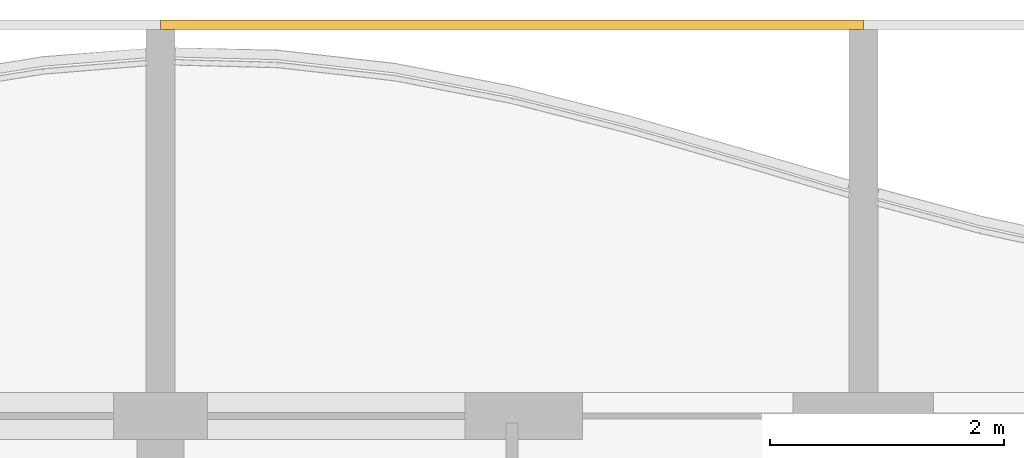
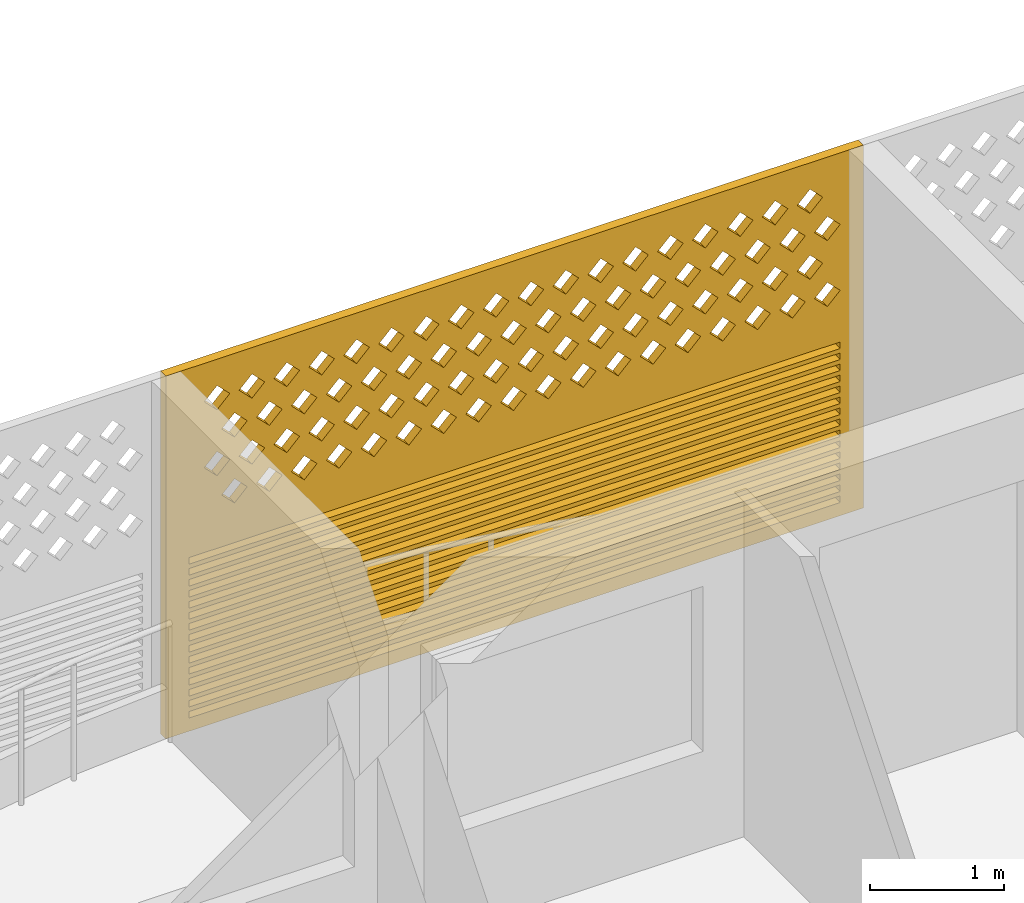
# One storey, part 29 of 44: 1 covering.
"""IFC4 building model written with IfcOpenShell, lengths in metres."""

from ifc_helpers import new_model, si_unit, direction, frame, origin, place, context, subcontext, project, spatial, polyline, outline, extrude, source, transform, mapped, material, material_profile, profile_set, type_object, element, save


model = new_model("IFC4")

# Units and contexts
model_context = context("Model", 3, precision=1e-05, world=origin(), true_north=direction((0.0, 1.0)))
body_context = subcontext(model_context, "Body", "Model", "MODEL_VIEW")
ifc_project = project(units=[si_unit("LENGTHUNIT", "METRE"), si_unit("AREAUNIT", "SQUARE_METRE"), si_unit("VOLUMEUNIT", "CUBIC_METRE"), si_unit("PLANEANGLEUNIT", "RADIAN"), si_unit("MASSUNIT", "GRAM", prefix="KILO")], contexts=[model_context])

# Site, building, storey
site_placement = place(None, origin())
site = spatial("IfcSite", under=ifc_project, at=site_placement, CompositionType="ELEMENT")
building_placement = place(site_placement, origin())
building = spatial("IfcBuilding", under=site, at=building_placement, Name="Poui Terraces", CompositionType="ELEMENT")
storey_placement = place(building_placement, frame((0.0, 0.0, 30.0)))
storey = spatial("IfcBuildingStorey", under=building, at=storey_placement, Name="L07", CompositionType="ELEMENT", Elevation=30.0)

# Covering
ifc_material = material(Name="Terracotta screen", Category="masonry")
ifc_material_profile = material_profile(ifc_material, outline(polyline([(-3.0, -1.64990234375), (3.0, -1.64990234375), (3.0, 1.64990234375), (-3.0, 1.64990234375), (-3.0, -1.64990234375)]), holes=[polyline([(-2.800048828125, 0.39990234375), (-2.68994140625, 0.2900390625), (-2.580078125, 0.39990234375), (-2.68994140625, 0.510009765625), (-2.800048828125, 0.39990234375)]), polyline([(-2.5, 0.39990234375), (-2.389892578125, 0.2900390625), (-2.280029296875, 0.39990234375), (-2.389892578125, 0.510009765625), (-2.5, 0.39990234375)]), polyline([(-2.199951171875, 0.39990234375), (-2.090087890625, 0.2900390625), (-1.97998046875, 0.39990234375), (-2.090087890625, 0.510009765625), (-2.199951171875, 0.39990234375)]), polyline([(-1.89990234375, 0.39990234375), (-1.7900390625, 0.2900390625), (-1.679931640625, 0.39990234375), (-1.7900390625, 0.510009765625), (-1.89990234375, 0.39990234375)]), polyline([(-1.60009765625, 0.39990234375), (-1.489990234375, 0.2900390625), (-1.3798828125, 0.39990234375), (-1.489990234375, 0.510009765625), (-1.60009765625, 0.39990234375)]), polyline([(-1.300048828125, 0.39990234375), (-1.18994140625, 0.2900390625), (-1.080078125, 0.39990234375), (-1.18994140625, 0.510009765625), (-1.300048828125, 0.39990234375)]), polyline([(-1.0, 0.39990234375), (-0.889892578125, 0.2900390625), (-0.780029296875, 0.39990234375), (-0.889892578125, 0.510009765625), (-1.0, 0.39990234375)]), polyline([(-0.699951171875, 0.39990234375), (-0.590087890625, 0.2900390625), (-0.47998046875, 0.39990234375), (-0.590087890625, 0.510009765625), (-0.699951171875, 0.39990234375)]), polyline([(-0.39990234375, 0.39990234375), (-0.2900390625, 0.2900390625), (-0.179931640625, 0.39990234375), (-0.2900390625, 0.510009765625), (-0.39990234375, 0.39990234375)]), polyline([(-0.10009765625, 0.39990234375), (0.010009765625, 0.2900390625), (0.1201171875, 0.39990234375), (0.010009765625, 0.510009765625), (-0.10009765625, 0.39990234375)]), polyline([(0.199951171875, 0.39990234375), (0.31005859375, 0.2900390625), (0.419921875, 0.39990234375), (0.31005859375, 0.510009765625), (0.199951171875, 0.39990234375)]), polyline([(0.5, 0.39990234375), (0.610107421875, 0.2900390625), (0.719970703125, 0.39990234375), (0.610107421875, 0.510009765625), (0.5, 0.39990234375)]), polyline([(0.800048828125, 0.39990234375), (0.909912109375, 0.2900390625), (1.02001953125, 0.39990234375), (0.909912109375, 0.510009765625), (0.800048828125, 0.39990234375)]), polyline([(1.10009765625, 0.39990234375), (1.2099609375, 0.2900390625), (1.320068359375, 0.39990234375), (1.2099609375, 0.510009765625), (1.10009765625, 0.39990234375)]), polyline([(1.39990234375, 0.39990234375), (1.510009765625, 0.2900390625), (1.6201171875, 0.39990234375), (1.510009765625, 0.510009765625), (1.39990234375, 0.39990234375)]), polyline([(1.699951171875, 0.39990234375), (1.81005859375, 0.2900390625), (1.919921875, 0.39990234375), (1.81005859375, 0.510009765625), (1.699951171875, 0.39990234375)]), polyline([(2.0, 0.39990234375), (2.110107421875, 0.2900390625), (2.219970703125, 0.39990234375), (2.110107421875, 0.510009765625), (2.0, 0.39990234375)]), polyline([(2.300048828125, 0.39990234375), (2.409912109375, 0.2900390625), (2.52001953125, 0.39990234375), (2.409912109375, 0.510009765625), (2.300048828125, 0.39990234375)]), polyline([(-2.64990234375, 0.699951171875), (-2.5400390625, 0.590087890625), (-2.429931640625, 0.699951171875), (-2.5400390625, 0.81005859375), (-2.64990234375, 0.699951171875)]), polyline([(-2.35009765625, 0.699951171875), (-2.239990234375, 0.590087890625), (-2.1298828125, 0.699951171875), (-2.239990234375, 0.81005859375), (-2.35009765625, 0.699951171875)]), polyline([(-2.050048828125, 0.699951171875), (-1.93994140625, 0.590087890625), (-1.830078125, 0.699951171875), (-1.93994140625, 0.81005859375), (-2.050048828125, 0.699951171875)]), polyline([(-1.75, 0.699951171875), (-1.639892578125, 0.590087890625), (-1.530029296875, 0.699951171875), (-1.639892578125, 0.81005859375), (-1.75, 0.699951171875)]), polyline([(-1.449951171875, 0.699951171875), (-1.340087890625, 0.590087890625), (-1.22998046875, 0.699951171875), (-1.340087890625, 0.81005859375), (-1.449951171875, 0.699951171875)]), polyline([(-1.14990234375, 0.699951171875), (-1.0400390625, 0.590087890625), (-0.929931640625, 0.699951171875), (-1.0400390625, 0.81005859375), (-1.14990234375, 0.699951171875)]), polyline([(-0.85009765625, 0.699951171875), (-0.739990234375, 0.590087890625), (-0.6298828125, 0.699951171875), (-0.739990234375, 0.81005859375), (-0.85009765625, 0.699951171875)]), polyline([(-0.550048828125, 0.699951171875), (-0.43994140625, 0.590087890625), (-0.330078125, 0.699951171875), (-0.43994140625, 0.81005859375), (-0.550048828125, 0.699951171875)]), polyline([(-0.25, 0.699951171875), (-0.139892578125, 0.590087890625), (-0.030029296875, 0.699951171875), (-0.139892578125, 0.81005859375), (-0.25, 0.699951171875)]), polyline([(0.050048828125, 0.699951171875), (0.159912109375, 0.590087890625), (0.27001953125, 0.699951171875), (0.159912109375, 0.81005859375), (0.050048828125, 0.699951171875)]), polyline([(0.35009765625, 0.699951171875), (0.4599609375, 0.590087890625), (0.570068359375, 0.699951171875), (0.4599609375, 0.81005859375), (0.35009765625, 0.699951171875)]), polyline([(0.64990234375, 0.699951171875), (0.760009765625, 0.590087890625), (0.8701171875, 0.699951171875), (0.760009765625, 0.81005859375), (0.64990234375, 0.699951171875)]), polyline([(0.949951171875, 0.699951171875), (1.06005859375, 0.590087890625), (1.169921875, 0.699951171875), (1.06005859375, 0.81005859375), (0.949951171875, 0.699951171875)]), polyline([(1.25, 0.699951171875), (1.360107421875, 0.590087890625), (1.469970703125, 0.699951171875), (1.360107421875, 0.81005859375), (1.25, 0.699951171875)]), polyline([(1.550048828125, 0.699951171875), (1.659912109375, 0.590087890625), (1.77001953125, 0.699951171875), (1.659912109375, 0.81005859375), (1.550048828125, 0.699951171875)]), polyline([(1.85009765625, 0.699951171875), (1.9599609375, 0.590087890625), (2.070068359375, 0.699951171875), (1.9599609375, 0.81005859375), (1.85009765625, 0.699951171875)]), polyline([(2.14990234375, 0.699951171875), (2.260009765625, 0.590087890625), (2.3701171875, 0.699951171875), (2.260009765625, 0.81005859375), (2.14990234375, 0.699951171875)]), polyline([(2.449951171875, 0.699951171875), (2.56005859375, 0.590087890625), (2.669921875, 0.699951171875), (2.56005859375, 0.81005859375), (2.449951171875, 0.699951171875)]), polyline([(-2.800048828125, 1.0), (-2.68994140625, 0.889892578125), (-2.580078125, 1.0), (-2.68994140625, 1.110107421875), (-2.800048828125, 1.0)]), polyline([(-2.5, 1.0), (-2.389892578125, 0.889892578125), (-2.280029296875, 1.0), (-2.389892578125, 1.110107421875), (-2.5, 1.0)]), polyline([(-2.199951171875, 1.0), (-2.090087890625, 0.889892578125), (-1.97998046875, 1.0), (-2.090087890625, 1.110107421875), (-2.199951171875, 1.0)]), polyline([(-1.89990234375, 1.0), (-1.7900390625, 0.889892578125), (-1.679931640625, 1.0), (-1.7900390625, 1.110107421875), (-1.89990234375, 1.0)]), polyline([(-1.60009765625, 1.0), (-1.489990234375, 0.889892578125), (-1.3798828125, 1.0), (-1.489990234375, 1.110107421875), (-1.60009765625, 1.0)]), polyline([(-1.300048828125, 1.0), (-1.18994140625, 0.889892578125), (-1.080078125, 1.0), (-1.18994140625, 1.110107421875), (-1.300048828125, 1.0)]), polyline([(-1.0, 1.0), (-0.889892578125, 0.889892578125), (-0.780029296875, 1.0), (-0.889892578125, 1.110107421875), (-1.0, 1.0)]), polyline([(-0.699951171875, 1.0), (-0.590087890625, 0.889892578125), (-0.47998046875, 1.0), (-0.590087890625, 1.110107421875), (-0.699951171875, 1.0)]), polyline([(-0.39990234375, 1.0), (-0.2900390625, 0.889892578125), (-0.179931640625, 1.0), (-0.2900390625, 1.110107421875), (-0.39990234375, 1.0)]), polyline([(-0.10009765625, 1.0), (0.010009765625, 0.889892578125), (0.1201171875, 1.0), (0.010009765625, 1.110107421875), (-0.10009765625, 1.0)]), polyline([(0.199951171875, 1.0), (0.31005859375, 0.889892578125), (0.419921875, 1.0), (0.31005859375, 1.110107421875), (0.199951171875, 1.0)]), polyline([(0.5, 1.0), (0.610107421875, 0.889892578125), (0.719970703125, 1.0), (0.610107421875, 1.110107421875), (0.5, 1.0)]), polyline([(0.800048828125, 1.0), (0.909912109375, 0.889892578125), (1.02001953125, 1.0), (0.909912109375, 1.110107421875), (0.800048828125, 1.0)]), polyline([(1.10009765625, 1.0), (1.2099609375, 0.889892578125), (1.320068359375, 1.0), (1.2099609375, 1.110107421875), (1.10009765625, 1.0)]), polyline([(1.39990234375, 1.0), (1.510009765625, 0.889892578125), (1.6201171875, 1.0), (1.510009765625, 1.110107421875), (1.39990234375, 1.0)]), polyline([(1.699951171875, 1.0), (1.81005859375, 0.889892578125), (1.919921875, 1.0), (1.81005859375, 1.110107421875), (1.699951171875, 1.0)]), polyline([(2.0, 1.0), (2.110107421875, 0.889892578125), (2.219970703125, 1.0), (2.110107421875, 1.110107421875), (2.0, 1.0)]), polyline([(2.300048828125, 1.0), (2.409912109375, 0.889892578125), (2.52001953125, 1.0), (2.409912109375, 1.110107421875), (2.300048828125, 1.0)]), polyline([(-2.64990234375, 1.300048828125), (-2.5400390625, 1.18994140625), (-2.429931640625, 1.300048828125), (-2.5400390625, 1.409912109375), (-2.64990234375, 1.300048828125)]), polyline([(-2.35009765625, 1.300048828125), (-2.239990234375, 1.18994140625), (-2.1298828125, 1.300048828125), (-2.239990234375, 1.409912109375), (-2.35009765625, 1.300048828125)]), polyline([(-2.050048828125, 1.300048828125), (-1.93994140625, 1.18994140625), (-1.830078125, 1.300048828125), (-1.93994140625, 1.409912109375), (-2.050048828125, 1.300048828125)]), polyline([(-1.75, 1.300048828125), (-1.639892578125, 1.18994140625), (-1.530029296875, 1.300048828125), (-1.639892578125, 1.409912109375), (-1.75, 1.300048828125)]), polyline([(-1.449951171875, 1.300048828125), (-1.340087890625, 1.18994140625), (-1.22998046875, 1.300048828125), (-1.340087890625, 1.409912109375), (-1.449951171875, 1.300048828125)]), polyline([(-1.14990234375, 1.300048828125), (-1.0400390625, 1.18994140625), (-0.929931640625, 1.300048828125), (-1.0400390625, 1.409912109375), (-1.14990234375, 1.300048828125)]), polyline([(-0.85009765625, 1.300048828125), (-0.739990234375, 1.18994140625), (-0.6298828125, 1.300048828125), (-0.739990234375, 1.409912109375), (-0.85009765625, 1.300048828125)]), polyline([(-0.550048828125, 1.300048828125), (-0.43994140625, 1.18994140625), (-0.330078125, 1.300048828125), (-0.43994140625, 1.409912109375), (-0.550048828125, 1.300048828125)]), polyline([(-0.25, 1.300048828125), (-0.139892578125, 1.18994140625), (-0.030029296875, 1.300048828125), (-0.139892578125, 1.409912109375), (-0.25, 1.300048828125)]), polyline([(0.050048828125, 1.300048828125), (0.159912109375, 1.18994140625), (0.27001953125, 1.300048828125), (0.159912109375, 1.409912109375), (0.050048828125, 1.300048828125)]), polyline([(0.35009765625, 1.300048828125), (0.4599609375, 1.18994140625), (0.570068359375, 1.300048828125), (0.4599609375, 1.409912109375), (0.35009765625, 1.300048828125)]), polyline([(0.64990234375, 1.300048828125), (0.760009765625, 1.18994140625), (0.8701171875, 1.300048828125), (0.760009765625, 1.409912109375), (0.64990234375, 1.300048828125)]), polyline([(0.949951171875, 1.300048828125), (1.06005859375, 1.18994140625), (1.169921875, 1.300048828125), (1.06005859375, 1.409912109375), (0.949951171875, 1.300048828125)]), polyline([(1.25, 1.300048828125), (1.360107421875, 1.18994140625), (1.469970703125, 1.300048828125), (1.360107421875, 1.409912109375), (1.25, 1.300048828125)]), polyline([(1.550048828125, 1.300048828125), (1.659912109375, 1.18994140625), (1.77001953125, 1.300048828125), (1.659912109375, 1.409912109375), (1.550048828125, 1.300048828125)]), polyline([(1.85009765625, 1.300048828125), (1.9599609375, 1.18994140625), (2.070068359375, 1.300048828125), (1.9599609375, 1.409912109375), (1.85009765625, 1.300048828125)]), polyline([(2.14990234375, 1.300048828125), (2.260009765625, 1.18994140625), (2.3701171875, 1.300048828125), (2.260009765625, 1.409912109375), (2.14990234375, 1.300048828125)]), polyline([(2.449951171875, 1.300048828125), (2.56005859375, 1.18994140625), (2.669921875, 1.300048828125), (2.56005859375, 1.409912109375), (2.449951171875, 1.300048828125)]), polyline([(-2.800048828125, -1.530029296875), (2.800048828125, -1.530029296875), (2.800048828125, -1.469970703125), (-2.800048828125, -1.469970703125), (-2.800048828125, -1.530029296875)]), polyline([(-2.800048828125, -1.429931640625), (2.800048828125, -1.429931640625), (2.800048828125, -1.3701171875), (-2.800048828125, -1.3701171875), (-2.800048828125, -1.429931640625)]), polyline([(-2.800048828125, -1.330078125), (2.800048828125, -1.330078125), (2.800048828125, -1.27001953125), (-2.800048828125, -1.27001953125), (-2.800048828125, -1.330078125)]), polyline([(-2.800048828125, -1.22998046875), (2.800048828125, -1.22998046875), (2.800048828125, -1.169921875), (-2.800048828125, -1.169921875), (-2.800048828125, -1.22998046875)]), polyline([(-2.800048828125, -1.1298828125), (2.800048828125, -1.1298828125), (2.800048828125, -1.070068359375), (-2.800048828125, -1.070068359375), (-2.800048828125, -1.1298828125)]), polyline([(-2.800048828125, -1.030029296875), (2.800048828125, -1.030029296875), (2.800048828125, -0.969970703125), (-2.800048828125, -0.969970703125), (-2.800048828125, -1.030029296875)]), polyline([(-2.800048828125, -0.929931640625), (2.800048828125, -0.929931640625), (2.800048828125, -0.8701171875), (-2.800048828125, -0.8701171875), (-2.800048828125, -0.929931640625)]), polyline([(-2.800048828125, -0.830078125), (2.800048828125, -0.830078125), (2.800048828125, -0.77001953125), (-2.800048828125, -0.77001953125), (-2.800048828125, -0.830078125)]), polyline([(-2.800048828125, -0.72998046875), (2.800048828125, -0.72998046875), (2.800048828125, -0.669921875), (-2.800048828125, -0.669921875), (-2.800048828125, -0.72998046875)]), polyline([(-2.800048828125, -0.6298828125), (2.800048828125, -0.6298828125), (2.800048828125, -0.570068359375), (-2.800048828125, -0.570068359375), (-2.800048828125, -0.6298828125)]), polyline([(-2.800048828125, -0.530029296875), (2.800048828125, -0.530029296875), (2.800048828125, -0.469970703125), (-2.800048828125, -0.469970703125), (-2.800048828125, -0.530029296875)]), polyline([(-2.800048828125, -0.429931640625), (2.800048828125, -0.429931640625), (2.800048828125, -0.3701171875), (-2.800048828125, -0.3701171875), (-2.800048828125, -0.429931640625)]), polyline([(-2.800048828125, -0.330078125), (2.800048828125, -0.330078125), (2.800048828125, -0.27001953125), (-2.800048828125, -0.27001953125), (-2.800048828125, -0.330078125)]), polyline([(-2.800048828125, -0.22998046875), (2.800048828125, -0.22998046875), (2.800048828125, -0.169921875), (-2.800048828125, -0.169921875), (-2.800048828125, -0.22998046875)]), polyline([(-2.800048828125, -0.1298828125), (2.800048828125, -0.1298828125), (2.800048828125, -0.070068359375), (-2.800048828125, -0.070068359375), (-2.800048828125, -0.1298828125)])]), Name="TERRACOTTA SCREEN AND JALOUSIE LOUVRE 6000X3300")
ifc_profile_set = profile_set([ifc_material_profile], Name="Terracotta screen")
covering_type = type_object("IfcCoveringType", Name="TERRACOTTA SCREEN AND JALOUSIE LOUVRE 6000X3300", PredefinedType="CLADDING", material=ifc_profile_set)
shared_shape = source(origin(), body_context, "Body", "SweptSolid", [
    extrude(outline(polyline([(-3.0, -1.64990234375), (3.0, -1.64990234375), (3.0, 1.64990234375), (-3.0, 1.64990234375), (-3.0, -1.64990234375)]), holes=[polyline([(-2.800048828125, 0.39990234375), (-2.68994140625, 0.2900390625), (-2.580078125, 0.39990234375), (-2.68994140625, 0.510009765625), (-2.800048828125, 0.39990234375)]), polyline([(-2.5, 0.39990234375), (-2.389892578125, 0.2900390625), (-2.280029296875, 0.39990234375), (-2.389892578125, 0.510009765625), (-2.5, 0.39990234375)]), polyline([(-2.199951171875, 0.39990234375), (-2.090087890625, 0.2900390625), (-1.97998046875, 0.39990234375), (-2.090087890625, 0.510009765625), (-2.199951171875, 0.39990234375)]), polyline([(-1.89990234375, 0.39990234375), (-1.7900390625, 0.2900390625), (-1.679931640625, 0.39990234375), (-1.7900390625, 0.510009765625), (-1.89990234375, 0.39990234375)]), polyline([(-1.60009765625, 0.39990234375), (-1.489990234375, 0.2900390625), (-1.3798828125, 0.39990234375), (-1.489990234375, 0.510009765625), (-1.60009765625, 0.39990234375)]), polyline([(-1.300048828125, 0.39990234375), (-1.18994140625, 0.2900390625), (-1.080078125, 0.39990234375), (-1.18994140625, 0.510009765625), (-1.300048828125, 0.39990234375)]), polyline([(-1.0, 0.39990234375), (-0.889892578125, 0.2900390625), (-0.780029296875, 0.39990234375), (-0.889892578125, 0.510009765625), (-1.0, 0.39990234375)]), polyline([(-0.699951171875, 0.39990234375), (-0.590087890625, 0.2900390625), (-0.47998046875, 0.39990234375), (-0.590087890625, 0.510009765625), (-0.699951171875, 0.39990234375)]), polyline([(-0.39990234375, 0.39990234375), (-0.2900390625, 0.2900390625), (-0.179931640625, 0.39990234375), (-0.2900390625, 0.510009765625), (-0.39990234375, 0.39990234375)]), polyline([(-0.10009765625, 0.39990234375), (0.010009765625, 0.2900390625), (0.1201171875, 0.39990234375), (0.010009765625, 0.510009765625), (-0.10009765625, 0.39990234375)]), polyline([(0.199951171875, 0.39990234375), (0.31005859375, 0.2900390625), (0.419921875, 0.39990234375), (0.31005859375, 0.510009765625), (0.199951171875, 0.39990234375)]), polyline([(0.5, 0.39990234375), (0.610107421875, 0.2900390625), (0.719970703125, 0.39990234375), (0.610107421875, 0.510009765625), (0.5, 0.39990234375)]), polyline([(0.800048828125, 0.39990234375), (0.909912109375, 0.2900390625), (1.02001953125, 0.39990234375), (0.909912109375, 0.510009765625), (0.800048828125, 0.39990234375)]), polyline([(1.10009765625, 0.39990234375), (1.2099609375, 0.2900390625), (1.320068359375, 0.39990234375), (1.2099609375, 0.510009765625), (1.10009765625, 0.39990234375)]), polyline([(1.39990234375, 0.39990234375), (1.510009765625, 0.2900390625), (1.6201171875, 0.39990234375), (1.510009765625, 0.510009765625), (1.39990234375, 0.39990234375)]), polyline([(1.699951171875, 0.39990234375), (1.81005859375, 0.2900390625), (1.919921875, 0.39990234375), (1.81005859375, 0.510009765625), (1.699951171875, 0.39990234375)]), polyline([(2.0, 0.39990234375), (2.110107421875, 0.2900390625), (2.219970703125, 0.39990234375), (2.110107421875, 0.510009765625), (2.0, 0.39990234375)]), polyline([(2.300048828125, 0.39990234375), (2.409912109375, 0.2900390625), (2.52001953125, 0.39990234375), (2.409912109375, 0.510009765625), (2.300048828125, 0.39990234375)]), polyline([(-2.64990234375, 0.699951171875), (-2.5400390625, 0.590087890625), (-2.429931640625, 0.699951171875), (-2.5400390625, 0.81005859375), (-2.64990234375, 0.699951171875)]), polyline([(-2.35009765625, 0.699951171875), (-2.239990234375, 0.590087890625), (-2.1298828125, 0.699951171875), (-2.239990234375, 0.81005859375), (-2.35009765625, 0.699951171875)]), polyline([(-2.050048828125, 0.699951171875), (-1.93994140625, 0.590087890625), (-1.830078125, 0.699951171875), (-1.93994140625, 0.81005859375), (-2.050048828125, 0.699951171875)]), polyline([(-1.75, 0.699951171875), (-1.639892578125, 0.590087890625), (-1.530029296875, 0.699951171875), (-1.639892578125, 0.81005859375), (-1.75, 0.699951171875)]), polyline([(-1.449951171875, 0.699951171875), (-1.340087890625, 0.590087890625), (-1.22998046875, 0.699951171875), (-1.340087890625, 0.81005859375), (-1.449951171875, 0.699951171875)]), polyline([(-1.14990234375, 0.699951171875), (-1.0400390625, 0.590087890625), (-0.929931640625, 0.699951171875), (-1.0400390625, 0.81005859375), (-1.14990234375, 0.699951171875)]), polyline([(-0.85009765625, 0.699951171875), (-0.739990234375, 0.590087890625), (-0.6298828125, 0.699951171875), (-0.739990234375, 0.81005859375), (-0.85009765625, 0.699951171875)]), polyline([(-0.550048828125, 0.699951171875), (-0.43994140625, 0.590087890625), (-0.330078125, 0.699951171875), (-0.43994140625, 0.81005859375), (-0.550048828125, 0.699951171875)]), polyline([(-0.25, 0.699951171875), (-0.139892578125, 0.590087890625), (-0.030029296875, 0.699951171875), (-0.139892578125, 0.81005859375), (-0.25, 0.699951171875)]), polyline([(0.050048828125, 0.699951171875), (0.159912109375, 0.590087890625), (0.27001953125, 0.699951171875), (0.159912109375, 0.81005859375), (0.050048828125, 0.699951171875)]), polyline([(0.35009765625, 0.699951171875), (0.4599609375, 0.590087890625), (0.570068359375, 0.699951171875), (0.4599609375, 0.81005859375), (0.35009765625, 0.699951171875)]), polyline([(0.64990234375, 0.699951171875), (0.760009765625, 0.590087890625), (0.8701171875, 0.699951171875), (0.760009765625, 0.81005859375), (0.64990234375, 0.699951171875)]), polyline([(0.949951171875, 0.699951171875), (1.06005859375, 0.590087890625), (1.169921875, 0.699951171875), (1.06005859375, 0.81005859375), (0.949951171875, 0.699951171875)]), polyline([(1.25, 0.699951171875), (1.360107421875, 0.590087890625), (1.469970703125, 0.699951171875), (1.360107421875, 0.81005859375), (1.25, 0.699951171875)]), polyline([(1.550048828125, 0.699951171875), (1.659912109375, 0.590087890625), (1.77001953125, 0.699951171875), (1.659912109375, 0.81005859375), (1.550048828125, 0.699951171875)]), polyline([(1.85009765625, 0.699951171875), (1.9599609375, 0.590087890625), (2.070068359375, 0.699951171875), (1.9599609375, 0.81005859375), (1.85009765625, 0.699951171875)]), polyline([(2.14990234375, 0.699951171875), (2.260009765625, 0.590087890625), (2.3701171875, 0.699951171875), (2.260009765625, 0.81005859375), (2.14990234375, 0.699951171875)]), polyline([(2.449951171875, 0.699951171875), (2.56005859375, 0.590087890625), (2.669921875, 0.699951171875), (2.56005859375, 0.81005859375), (2.449951171875, 0.699951171875)]), polyline([(-2.800048828125, 1.0), (-2.68994140625, 0.889892578125), (-2.580078125, 1.0), (-2.68994140625, 1.110107421875), (-2.800048828125, 1.0)]), polyline([(-2.5, 1.0), (-2.389892578125, 0.889892578125), (-2.280029296875, 1.0), (-2.389892578125, 1.110107421875), (-2.5, 1.0)]), polyline([(-2.199951171875, 1.0), (-2.090087890625, 0.889892578125), (-1.97998046875, 1.0), (-2.090087890625, 1.110107421875), (-2.199951171875, 1.0)]), polyline([(-1.89990234375, 1.0), (-1.7900390625, 0.889892578125), (-1.679931640625, 1.0), (-1.7900390625, 1.110107421875), (-1.89990234375, 1.0)]), polyline([(-1.60009765625, 1.0), (-1.489990234375, 0.889892578125), (-1.3798828125, 1.0), (-1.489990234375, 1.110107421875), (-1.60009765625, 1.0)]), polyline([(-1.300048828125, 1.0), (-1.18994140625, 0.889892578125), (-1.080078125, 1.0), (-1.18994140625, 1.110107421875), (-1.300048828125, 1.0)]), polyline([(-1.0, 1.0), (-0.889892578125, 0.889892578125), (-0.780029296875, 1.0), (-0.889892578125, 1.110107421875), (-1.0, 1.0)]), polyline([(-0.699951171875, 1.0), (-0.590087890625, 0.889892578125), (-0.47998046875, 1.0), (-0.590087890625, 1.110107421875), (-0.699951171875, 1.0)]), polyline([(-0.39990234375, 1.0), (-0.2900390625, 0.889892578125), (-0.179931640625, 1.0), (-0.2900390625, 1.110107421875), (-0.39990234375, 1.0)]), polyline([(-0.10009765625, 1.0), (0.010009765625, 0.889892578125), (0.1201171875, 1.0), (0.010009765625, 1.110107421875), (-0.10009765625, 1.0)]), polyline([(0.199951171875, 1.0), (0.31005859375, 0.889892578125), (0.419921875, 1.0), (0.31005859375, 1.110107421875), (0.199951171875, 1.0)]), polyline([(0.5, 1.0), (0.610107421875, 0.889892578125), (0.719970703125, 1.0), (0.610107421875, 1.110107421875), (0.5, 1.0)]), polyline([(0.800048828125, 1.0), (0.909912109375, 0.889892578125), (1.02001953125, 1.0), (0.909912109375, 1.110107421875), (0.800048828125, 1.0)]), polyline([(1.10009765625, 1.0), (1.2099609375, 0.889892578125), (1.320068359375, 1.0), (1.2099609375, 1.110107421875), (1.10009765625, 1.0)]), polyline([(1.39990234375, 1.0), (1.510009765625, 0.889892578125), (1.6201171875, 1.0), (1.510009765625, 1.110107421875), (1.39990234375, 1.0)]), polyline([(1.699951171875, 1.0), (1.81005859375, 0.889892578125), (1.919921875, 1.0), (1.81005859375, 1.110107421875), (1.699951171875, 1.0)]), polyline([(2.0, 1.0), (2.110107421875, 0.889892578125), (2.219970703125, 1.0), (2.110107421875, 1.110107421875), (2.0, 1.0)]), polyline([(2.300048828125, 1.0), (2.409912109375, 0.889892578125), (2.52001953125, 1.0), (2.409912109375, 1.110107421875), (2.300048828125, 1.0)]), polyline([(-2.64990234375, 1.300048828125), (-2.5400390625, 1.18994140625), (-2.429931640625, 1.300048828125), (-2.5400390625, 1.409912109375), (-2.64990234375, 1.300048828125)]), polyline([(-2.35009765625, 1.300048828125), (-2.239990234375, 1.18994140625), (-2.1298828125, 1.300048828125), (-2.239990234375, 1.409912109375), (-2.35009765625, 1.300048828125)]), polyline([(-2.050048828125, 1.300048828125), (-1.93994140625, 1.18994140625), (-1.830078125, 1.300048828125), (-1.93994140625, 1.409912109375), (-2.050048828125, 1.300048828125)]), polyline([(-1.75, 1.300048828125), (-1.639892578125, 1.18994140625), (-1.530029296875, 1.300048828125), (-1.639892578125, 1.409912109375), (-1.75, 1.300048828125)]), polyline([(-1.449951171875, 1.300048828125), (-1.340087890625, 1.18994140625), (-1.22998046875, 1.300048828125), (-1.340087890625, 1.409912109375), (-1.449951171875, 1.300048828125)]), polyline([(-1.14990234375, 1.300048828125), (-1.0400390625, 1.18994140625), (-0.929931640625, 1.300048828125), (-1.0400390625, 1.409912109375), (-1.14990234375, 1.300048828125)]), polyline([(-0.85009765625, 1.300048828125), (-0.739990234375, 1.18994140625), (-0.6298828125, 1.300048828125), (-0.739990234375, 1.409912109375), (-0.85009765625, 1.300048828125)]), polyline([(-0.550048828125, 1.300048828125), (-0.43994140625, 1.18994140625), (-0.330078125, 1.300048828125), (-0.43994140625, 1.409912109375), (-0.550048828125, 1.300048828125)]), polyline([(-0.25, 1.300048828125), (-0.139892578125, 1.18994140625), (-0.030029296875, 1.300048828125), (-0.139892578125, 1.409912109375), (-0.25, 1.300048828125)]), polyline([(0.050048828125, 1.300048828125), (0.159912109375, 1.18994140625), (0.27001953125, 1.300048828125), (0.159912109375, 1.409912109375), (0.050048828125, 1.300048828125)]), polyline([(0.35009765625, 1.300048828125), (0.4599609375, 1.18994140625), (0.570068359375, 1.300048828125), (0.4599609375, 1.409912109375), (0.35009765625, 1.300048828125)]), polyline([(0.64990234375, 1.300048828125), (0.760009765625, 1.18994140625), (0.8701171875, 1.300048828125), (0.760009765625, 1.409912109375), (0.64990234375, 1.300048828125)]), polyline([(0.949951171875, 1.300048828125), (1.06005859375, 1.18994140625), (1.169921875, 1.300048828125), (1.06005859375, 1.409912109375), (0.949951171875, 1.300048828125)]), polyline([(1.25, 1.300048828125), (1.360107421875, 1.18994140625), (1.469970703125, 1.300048828125), (1.360107421875, 1.409912109375), (1.25, 1.300048828125)]), polyline([(1.550048828125, 1.300048828125), (1.659912109375, 1.18994140625), (1.77001953125, 1.300048828125), (1.659912109375, 1.409912109375), (1.550048828125, 1.300048828125)]), polyline([(1.85009765625, 1.300048828125), (1.9599609375, 1.18994140625), (2.070068359375, 1.300048828125), (1.9599609375, 1.409912109375), (1.85009765625, 1.300048828125)]), polyline([(2.14990234375, 1.300048828125), (2.260009765625, 1.18994140625), (2.3701171875, 1.300048828125), (2.260009765625, 1.409912109375), (2.14990234375, 1.300048828125)]), polyline([(2.449951171875, 1.300048828125), (2.56005859375, 1.18994140625), (2.669921875, 1.300048828125), (2.56005859375, 1.409912109375), (2.449951171875, 1.300048828125)]), polyline([(-2.800048828125, -1.530029296875), (2.800048828125, -1.530029296875), (2.800048828125, -1.469970703125), (-2.800048828125, -1.469970703125), (-2.800048828125, -1.530029296875)]), polyline([(-2.800048828125, -1.429931640625), (2.800048828125, -1.429931640625), (2.800048828125, -1.3701171875), (-2.800048828125, -1.3701171875), (-2.800048828125, -1.429931640625)]), polyline([(-2.800048828125, -1.330078125), (2.800048828125, -1.330078125), (2.800048828125, -1.27001953125), (-2.800048828125, -1.27001953125), (-2.800048828125, -1.330078125)]), polyline([(-2.800048828125, -1.22998046875), (2.800048828125, -1.22998046875), (2.800048828125, -1.169921875), (-2.800048828125, -1.169921875), (-2.800048828125, -1.22998046875)]), polyline([(-2.800048828125, -1.1298828125), (2.800048828125, -1.1298828125), (2.800048828125, -1.070068359375), (-2.800048828125, -1.070068359375), (-2.800048828125, -1.1298828125)]), polyline([(-2.800048828125, -1.030029296875), (2.800048828125, -1.030029296875), (2.800048828125, -0.969970703125), (-2.800048828125, -0.969970703125), (-2.800048828125, -1.030029296875)]), polyline([(-2.800048828125, -0.929931640625), (2.800048828125, -0.929931640625), (2.800048828125, -0.8701171875), (-2.800048828125, -0.8701171875), (-2.800048828125, -0.929931640625)]), polyline([(-2.800048828125, -0.830078125), (2.800048828125, -0.830078125), (2.800048828125, -0.77001953125), (-2.800048828125, -0.77001953125), (-2.800048828125, -0.830078125)]), polyline([(-2.800048828125, -0.72998046875), (2.800048828125, -0.72998046875), (2.800048828125, -0.669921875), (-2.800048828125, -0.669921875), (-2.800048828125, -0.72998046875)]), polyline([(-2.800048828125, -0.6298828125), (2.800048828125, -0.6298828125), (2.800048828125, -0.570068359375), (-2.800048828125, -0.570068359375), (-2.800048828125, -0.6298828125)]), polyline([(-2.800048828125, -0.530029296875), (2.800048828125, -0.530029296875), (2.800048828125, -0.469970703125), (-2.800048828125, -0.469970703125), (-2.800048828125, -0.530029296875)]), polyline([(-2.800048828125, -0.429931640625), (2.800048828125, -0.429931640625), (2.800048828125, -0.3701171875), (-2.800048828125, -0.3701171875), (-2.800048828125, -0.429931640625)]), polyline([(-2.800048828125, -0.330078125), (2.800048828125, -0.330078125), (2.800048828125, -0.27001953125), (-2.800048828125, -0.27001953125), (-2.800048828125, -0.330078125)]), polyline([(-2.800048828125, -0.22998046875), (2.800048828125, -0.22998046875), (2.800048828125, -0.169921875), (-2.800048828125, -0.169921875), (-2.800048828125, -0.22998046875)]), polyline([(-2.800048828125, -0.1298828125), (2.800048828125, -0.1298828125), (2.800048828125, -0.070068359375), (-2.800048828125, -0.070068359375), (-2.800048828125, -0.1298828125)])]), origin(), (0.0, 0.0, 1.0), 0.079833984375),
])
covering_placement = place(storey_placement, frame((39.0, 48.10009765625, 1.449951171875), z_axis=(0.0, 1.0, 0.0), x_axis=(-1.0, 0.0, 0.0)))
element("IfcCovering", 1, at=covering_placement, inside=storey, type_object=covering_type, Name="SOLAR SCREEN AND JALOUSIE LOUVRE", PredefinedType="CLADDING", context=body_context, shape_type="MappedRepresentation", body=[
    mapped(shared_shape, transform((0.0, 0.0, 0.0))),
])

save(model, "model.ifc")
